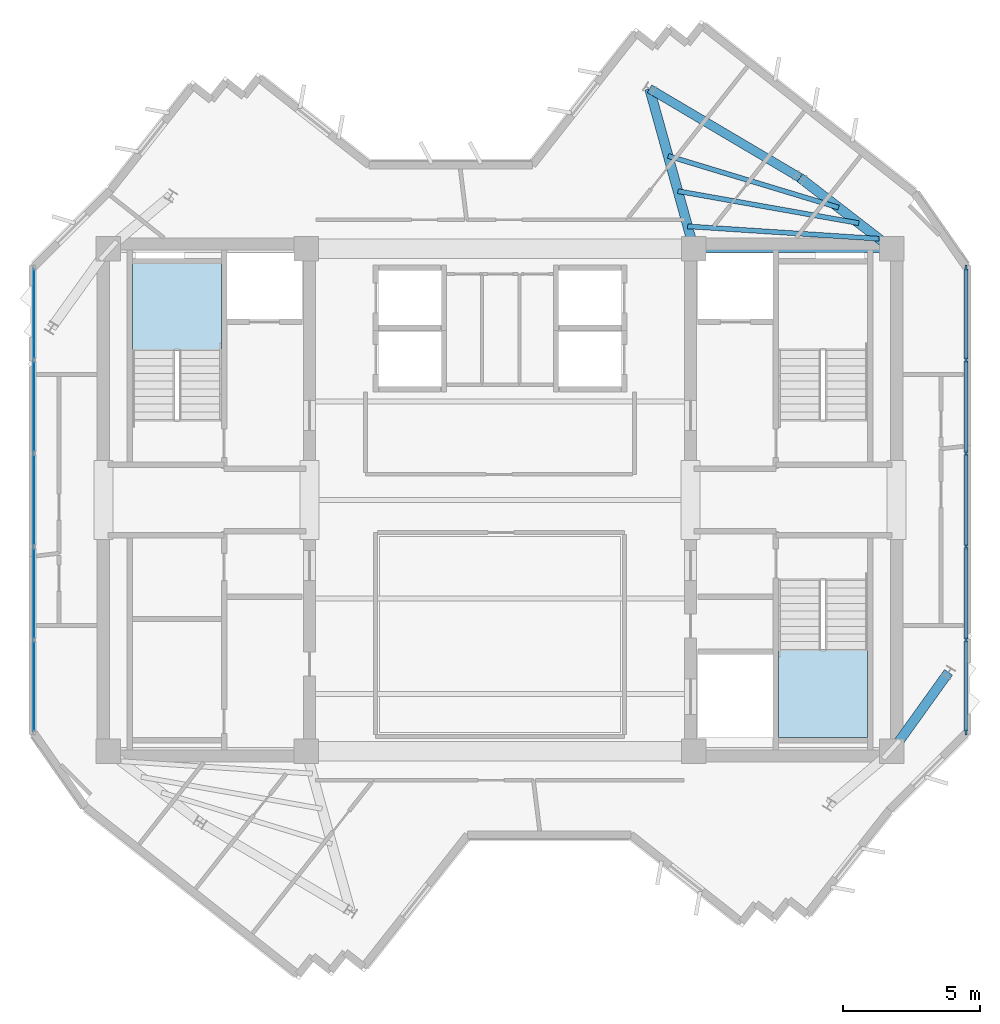
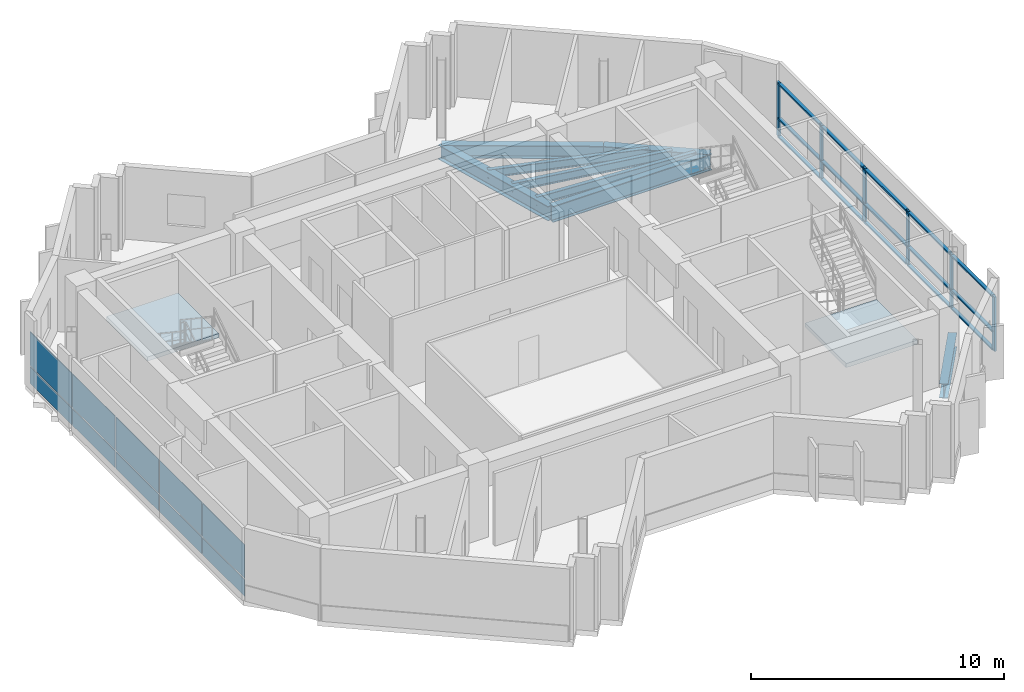
# One storey, part 3 of 10: 21 members, 10 plates, 8 beams, 2 slabs, 4 elements without a shape of their own.
"""IFC4 building model written with IfcOpenShell, lengths in metres."""

from ifc_helpers import new_model, si_unit, direction, frame, origin, origin_2d, place, context, subcontext, project, spatial, polyline, rectangle, i_section, outline, extrude, source, transform, mapped, material, layer, layer_set, material_profile, profile_set, type_object, element, aggregate, save


model = new_model("IFC4")

# Units and contexts
model_context = context("Model", 3, precision=1e-05, world=origin(), true_north=direction((0.0, 1.0)))
body_context = subcontext(model_context, "Body", "Model", "MODEL_VIEW")
ifc_project = project(units=[si_unit("LENGTHUNIT", "METRE"), si_unit("AREAUNIT", "SQUARE_METRE"), si_unit("VOLUMEUNIT", "CUBIC_METRE"), si_unit("PLANEANGLEUNIT", "RADIAN"), si_unit("MASSUNIT", "GRAM", prefix="KILO")], contexts=[model_context])

# Site, building, storey
site_placement = place(None, origin())
site = spatial("IfcSite", under=ifc_project, at=site_placement, CompositionType="ELEMENT")
building_placement = place(site_placement, origin())
building = spatial("IfcBuilding", under=site, at=building_placement, Name="Zahravan Cultural Tower", CompositionType="ELEMENT")
storey_placement = place(building_placement, frame((0.0, 0.0, 323.550048828125)))
storey = spatial("IfcBuildingStorey", under=building, at=storey_placement, Name="L78", CompositionType="ELEMENT", Elevation=323.550048828125)

# Beams
ifc_material_1 = material(Name="Steel ASTM A992 Grade 50", Category="steel")
ifc_material_profile_1 = material_profile(ifc_material_1, i_section(OverallWidth=0.26611328125, OverallDepth=0.780029296875, WebThickness=0.0166015625, FlangeThickness=0.030029296875, FilletRadius=0.01904296875, at=origin_2d()), Name="W30X148")
ifc_profile_set_1 = profile_set([ifc_material_profile_1], Name="Steel ASTM A992 Grade 50")
beam_type_1 = type_object("IfcBeamType", Name="BM-G-W30X148", PredefinedType="BEAM", material=ifc_profile_set_1)
shared_shape_1 = source(origin(), body_context, "Body", "SweptSolid", [
    extrude(i_section(OverallWidth=0.26611328125, OverallDepth=0.780029296875, WebThickness=0.0166015625, FlangeThickness=0.030029296875, FilletRadius=0.01904296875, at=origin_2d()), origin(), (0.0, 0.0, 1.0), 7.25),
])
beam_1_placement = place(storey_placement, frame((43.10009765625, 36.199951171875, -0.64013671875), z_axis=(1.0, 0.0, 0.0), x_axis=(0.0, 1.0, 0.0)))
element("IfcBeam", 1, at=beam_1_placement, inside=storey, type_object=beam_type_1, Name="L78 Beam BG-L78-05", PredefinedType="BEAM", context=body_context, shape_type="MappedRepresentation", body=[
    mapped(shared_shape_1, transform((0.0, 0.0, 0.0), x_axis=(1.0, 0.0, 0.0), y_axis=(0.0, 1.0, 0.0), z_axis=(0.0, 0.0, 1.0), scale=1.0)),
])
ifc_material_profile_2 = material_profile(ifc_material_1, i_section(OverallWidth=0.35498046875, OverallDepth=0.696044921875, WebThickness=0.015380859375, FlangeThickness=0.025146484375, FilletRadius=0.01806640625, at=origin_2d()), Name="W27X146")
ifc_profile_set_2 = profile_set([ifc_material_profile_2], Name="Steel ASTM A992 Grade 50")
beam_type_2 = type_object("IfcBeamType", Name="BM-G-W27X146", PredefinedType="BEAM", material=ifc_profile_set_2)
shared_shape_2 = source(origin(), body_context, "Body", "SweptSolid", [
    extrude(i_section(OverallWidth=0.35498046875, OverallDepth=0.696044921875, WebThickness=0.015380859375, FlangeThickness=0.025146484375, FilletRadius=0.01806640625, at=origin_2d()), origin(), (0.0, 0.0, 1.0), 4.25341796875),
])
beam_2_placement = place(storey_placement, frame((50.35009765625, 36.199951171875, -0.59814453125), z_axis=(-0.791433936253, 0.611254713313, 0.0), x_axis=(-0.611254713313, -0.791433936253, 0.0)))
element("IfcBeam", 2, at=beam_2_placement, inside=storey, type_object=beam_type_2, Name="L78 Beam BG-L78-11", PredefinedType="BEAM", context=body_context, shape_type="MappedRepresentation", body=[
    mapped(shared_shape_2, transform((0.0, 0.0, 0.0), x_axis=(1.0, 0.0, 0.0), y_axis=(0.0, 1.0, 0.0), z_axis=(0.0, 0.0, 1.0), scale=1.0)),
])
shared_shape_3 = source(origin(), body_context, "Body", "SweptSolid", [
    extrude(i_section(OverallWidth=0.35498046875, OverallDepth=0.696044921875, WebThickness=0.015380859375, FlangeThickness=0.025146484375, FilletRadius=0.01806640625, at=origin_2d()), origin(), (0.0, 0.0, 1.0), 6.07958984375),
])
beam_3_placement = place(storey_placement, frame((43.10009765625, 36.199951171875, -0.59814453125), z_axis=(-0.267324894686, 0.963606455292, 0.0), x_axis=(-0.963606455292, -0.267324894686, 0.0)))
element("IfcBeam", 3, at=beam_3_placement, inside=storey, type_object=beam_type_2, Name="L78 Beam BG-L78-12", PredefinedType="BEAM", context=body_context, shape_type="MappedRepresentation", body=[
    mapped(shared_shape_3, transform((0.0, 0.0, 0.0), x_axis=(1.0, 0.0, 0.0), y_axis=(0.0, 1.0, 0.0), z_axis=(0.0, 0.0, 1.0), scale=1.0)),
])
shared_shape_4 = source(origin(), body_context, "Body", "SweptSolid", [
    extrude(i_section(OverallWidth=0.35498046875, OverallDepth=0.696044921875, WebThickness=0.015380859375, FlangeThickness=0.025146484375, FilletRadius=0.01806640625, at=origin_2d()), origin(), (0.0, 0.0, 1.0), 3.5556640625),
])
beam_4_placement = place(storey_placement, frame((50.35009765625, 17.800048828125, -0.59814453125), z_axis=(0.58288028137, 0.812558045674, 0.0), x_axis=(-0.812558045674, 0.58288028137, 0.0)))
element("IfcBeam", 4, at=beam_4_placement, inside=storey, type_object=beam_type_2, Name="L78 Beam BG-L78-10", PredefinedType="BEAM", context=body_context, shape_type="MappedRepresentation", body=[
    mapped(shared_shape_4, transform((0.0, 0.0, 0.0), x_axis=(1.0, 0.0, 0.0), y_axis=(0.0, 1.0, 0.0), z_axis=(0.0, 0.0, 1.0), scale=1.0)),
])
ifc_material_profile_3 = material_profile(ifc_material_1, i_section(OverallWidth=0.326904296875, OverallDepth=0.6220703125, WebThickness=0.015380859375, FlangeThickness=0.0244140625, FilletRadius=0.014892578125, at=origin_2d()), Name="W24X131")
ifc_profile_set_3 = profile_set([ifc_material_profile_3], Name="Steel ASTM A992 Grade 50")
beam_type_3 = type_object("IfcBeamType", Name="BM-SP-W24X131", PredefinedType="SPANDREL", material=ifc_profile_set_3)
shared_shape_5 = source(origin(), body_context, "Body", "SweptSolid", [
    extrude(i_section(OverallWidth=0.326904296875, OverallDepth=0.6220703125, WebThickness=0.015380859375, FlangeThickness=0.0244140625, FilletRadius=0.014892578125, at=origin_2d()), origin(), (0.0, 0.0, 1.0), 6.400634765625),
])
beam_5_placement = place(storey_placement, frame((46.98388671875, 38.7998046875, -0.56103515625), z_axis=(-0.860706991833, 0.509100652337, 0.0), x_axis=(-0.509100652337, -0.860706991833, 0.0)))
element("IfcBeam", 5, at=beam_5_placement, inside=storey, type_object=beam_type_3, Name="L78 Beam SP-L78-17", PredefinedType="SPANDREL", context=body_context, shape_type="MappedRepresentation", body=[
    mapped(shared_shape_5, transform((0.0, 0.0, 0.0), x_axis=(1.0, 0.0, 0.0), y_axis=(0.0, 1.0, 0.0), z_axis=(0.0, 0.0, 1.0), scale=1.0)),
])
ifc_material_profile_4 = material_profile(ifc_material_1, i_section(OverallWidth=0.177978515625, OverallDepth=0.406005859375, WebThickness=0.0078125, FlangeThickness=0.0126953125, FilletRadius=0.011962890625, at=origin_2d()), Name="W16X40")
ifc_profile_set_4 = profile_set([ifc_material_profile_4], Name="Steel ASTM A992 Grade 50")
beam_type_4 = type_object("IfcBeamType", Name="BM-J-W16X40", PredefinedType="JOIST", material=ifc_profile_set_4)
shared_shape_6 = source(origin(), body_context, "Body", "SweptSolid", [
    extrude(i_section(OverallWidth=0.177978515625, OverallDepth=0.406005859375, WebThickness=0.0078125, FlangeThickness=0.0126953125, FilletRadius=0.011962890625, at=origin_2d()), origin(), (0.0, 0.0, 1.0), 7.02099609375),
])
beam_6_placement = place(storey_placement, frame((49.878662109375, 36.56396484375, -0.453125), z_axis=(-0.99788584579, 0.064991066863, 0.0), x_axis=(-0.064991066863, -0.99788584579, 0.0)))
element("IfcBeam", 6, at=beam_6_placement, inside=storey, type_object=beam_type_4, Name="L78 Beam BJ-L78-40", PredefinedType="JOIST", context=body_context, shape_type="MappedRepresentation", body=[
    mapped(shared_shape_6, transform((0.0, 0.0, 0.0), x_axis=(1.0, 0.0, 0.0), y_axis=(0.0, 1.0, 0.0), z_axis=(0.0, 0.0, 1.0), scale=1.0)),
])
shared_shape_7 = source(origin(), body_context, "Body", "SweptSolid", [
    extrude(i_section(OverallWidth=0.177978515625, OverallDepth=0.406005859375, WebThickness=0.0078125, FlangeThickness=0.0126953125, FilletRadius=0.011962890625, at=origin_2d()), origin(), (0.0, 0.0, 1.0), 6.726318359375),
])
beam_7_placement = place(storey_placement, frame((49.13818359375, 37.135986328125, -0.453125), z_axis=(-0.98467447748, 0.17440233198, 0.0), x_axis=(-0.17440233198, -0.98467447748, 0.0)))
element("IfcBeam", 7, at=beam_7_placement, inside=storey, type_object=beam_type_4, Name="L78 Beam BJ-L78-42", PredefinedType="JOIST", context=body_context, shape_type="MappedRepresentation", body=[
    mapped(shared_shape_7, transform((0.0, 0.0, 0.0), x_axis=(1.0, 0.0, 0.0), y_axis=(0.0, 1.0, 0.0), z_axis=(0.0, 0.0, 1.0), scale=1.0)),
])
shared_shape_8 = source(origin(), body_context, "Body", "SweptSolid", [
    extrude(i_section(OverallWidth=0.177978515625, OverallDepth=0.406005859375, WebThickness=0.0078125, FlangeThickness=0.0126953125, FilletRadius=0.011962890625, at=origin_2d()), origin(), (0.0, 0.0, 1.0), 6.520263671875),
])
beam_8_placement = place(storey_placement, frame((48.397705078125, 37.707763671875, -0.453125), z_axis=(-0.957060297679, 0.289888921151, 0.0), x_axis=(-0.289888921151, -0.957060297679, 0.0)))
element("IfcBeam", 8, at=beam_8_placement, inside=storey, type_object=beam_type_4, Name="L78 Beam BJ-L78-44", PredefinedType="JOIST", context=body_context, shape_type="MappedRepresentation", body=[
    mapped(shared_shape_8, transform((0.0, 0.0, 0.0), x_axis=(1.0, 0.0, 0.0), y_axis=(0.0, 1.0, 0.0), z_axis=(0.0, 0.0, 1.0), scale=1.0)),
])

# Curtain wall, members
ifc_material_2 = material(Name="Anodised bronze-aluminium mullion", Category="aluminium")
ifc_layer_1 = layer(ifc_material_2, 0.199951171875)
ifc_layer_set_1 = layer_set([ifc_layer_1], Name="Anodised bronze-aluminium mullion")
curtain_wall_type_1 = type_object("IfcCurtainWallType", Name="CW-SYS-2", PredefinedType="USERDEFINED", material=ifc_layer_set_1)
curtain_wall_1_placement = place(storey_placement, origin())
curtain_wall_1 = element("IfcCurtainWall", 9, at=curtain_wall_1_placement, inside=storey, type_object=curtain_wall_type_1, Name="L78 Recessed Curtain Wall CW-2.1", ObjectType="RECESSED GLAZING", PredefinedType="USERDEFINED")
ifc_material_profile_5 = material_profile(ifc_material_2, rectangle(XDim=0.074951171875, YDim=0.199951171875, at=origin_2d()), Name="AL-M75X200")
ifc_profile_set_5 = profile_set([ifc_material_profile_5], Name="Anodised bronze-aluminium mullion")
member_type_1 = type_object("IfcMemberType", Name="CWM-CW-2", PredefinedType="MULLION", material=ifc_profile_set_5)
shared_shape_9 = source(origin(), body_context, "Body", "SweptSolid", [
    extrude(rectangle(XDim=0.074951171875, YDim=0.199951171875, at=origin_2d()), origin(), (0.0, 0.0, 1.0), 2.619873046875),
])
member_1_placement = place(storey_placement, frame((53.06005859375, 35.50439453125, 0.0), z_axis=(0.0, 0.0, 1.0), x_axis=(1.0, 0.0, 0.0)))
member_1 = element("IfcMember", 10, at=member_1_placement, type_object=member_type_1, Name="CW-2 mullion 1", PredefinedType="MULLION", context=body_context, shape_type="MappedRepresentation", body=[
    mapped(shared_shape_9, transform((0.0, 0.0, 0.0), x_axis=(1.0, 0.0, 0.0), y_axis=(0.0, 1.0, 0.0), z_axis=(0.0, 0.0, 1.0), scale=1.0)),
])
member_2_placement = place(storey_placement, frame((53.06005859375, 32.125244140625, 0.0), z_axis=(0.0, 0.0, 1.0), x_axis=(1.0, 0.0, 0.0)))
member_2 = element("IfcMember", 11, at=member_2_placement, type_object=member_type_1, Name="CW-2 mullion 2", PredefinedType="MULLION", context=body_context, shape_type="MappedRepresentation", body=[
    mapped(shared_shape_9, transform((0.0, 0.0, 0.0), x_axis=(1.0, 0.0, 0.0), y_axis=(0.0, 1.0, 0.0), z_axis=(0.0, 0.0, 1.0), scale=1.0)),
])
member_3_placement = place(storey_placement, frame((53.06005859375, 28.70849609375, 0.0), z_axis=(0.0, 0.0, 1.0), x_axis=(1.0, 0.0, 0.0)))
member_3 = element("IfcMember", 12, at=member_3_placement, type_object=member_type_1, Name="CW-2 mullion 3", PredefinedType="MULLION", context=body_context, shape_type="MappedRepresentation", body=[
    mapped(shared_shape_9, transform((0.0, 0.0, 0.0), x_axis=(1.0, 0.0, 0.0), y_axis=(0.0, 1.0, 0.0), z_axis=(0.0, 0.0, 1.0), scale=1.0)),
])
member_4_placement = place(storey_placement, frame((53.06005859375, 25.29150390625, 0.0), z_axis=(0.0, 0.0, 1.0), x_axis=(1.0, 0.0, 0.0)))
member_4 = element("IfcMember", 13, at=member_4_placement, type_object=member_type_1, Name="CW-2 mullion 4", PredefinedType="MULLION", context=body_context, shape_type="MappedRepresentation", body=[
    mapped(shared_shape_9, transform((0.0, 0.0, 0.0), x_axis=(1.0, 0.0, 0.0), y_axis=(0.0, 1.0, 0.0), z_axis=(0.0, 0.0, 1.0), scale=1.0)),
])
member_5_placement = place(storey_placement, frame((53.06005859375, 21.874755859375, 0.0), z_axis=(0.0, 0.0, 1.0), x_axis=(1.0, 0.0, 0.0)))
member_5 = element("IfcMember", 14, at=member_5_placement, type_object=member_type_1, Name="CW-2 mullion 5", PredefinedType="MULLION", context=body_context, shape_type="MappedRepresentation", body=[
    mapped(shared_shape_9, transform((0.0, 0.0, 0.0), x_axis=(1.0, 0.0, 0.0), y_axis=(0.0, 1.0, 0.0), z_axis=(0.0, 0.0, 1.0), scale=1.0)),
])
member_6_placement = place(storey_placement, frame((53.06005859375, 18.49560546875, 0.0), z_axis=(0.0, 0.0, 1.0), x_axis=(1.0, 0.0, 0.0)))
member_6 = element("IfcMember", 15, at=member_6_placement, type_object=member_type_1, Name="CW-2 mullion 6", PredefinedType="MULLION", context=body_context, shape_type="MappedRepresentation", body=[
    mapped(shared_shape_9, transform((0.0, 0.0, 0.0), x_axis=(1.0, 0.0, 0.0), y_axis=(0.0, 1.0, 0.0), z_axis=(0.0, 0.0, 1.0), scale=1.0)),
])
ifc_material_profile_6 = material_profile(ifc_material_2, rectangle(XDim=0.14990234375, YDim=0.074951171875, at=origin_2d()), Name="AL-T75X150")
ifc_profile_set_6 = profile_set([ifc_material_profile_6], Name="Anodised bronze-aluminium mullion")
member_type_2 = type_object("IfcMemberType", Name="CWT-CW-2", PredefinedType="USERDEFINED", material=ifc_profile_set_6)
shared_shape_10 = source(origin(), body_context, "Body", "SweptSolid", [
    extrude(rectangle(XDim=0.14990234375, YDim=0.074951171875, at=origin_2d()), origin(), (0.0, 0.0, 1.0), 3.304443359375),
])
member_7_placement = place(storey_placement, frame((53.06005859375, 35.467041015625, 0.037353515625), z_axis=(0.0, -1.0, 0.0), x_axis=(1.0, 0.0, 0.0)))
member_7 = element("IfcMember", 16, at=member_7_placement, type_object=member_type_2, Name="CW-2 transom 1.1", ObjectType="TRANSOM", PredefinedType="USERDEFINED", context=body_context, shape_type="MappedRepresentation", body=[
    mapped(shared_shape_10, transform((0.0, 0.0, 0.0), x_axis=(1.0, 0.0, 0.0), y_axis=(0.0, 1.0, 0.0), z_axis=(0.0, 0.0, 1.0), scale=1.0)),
])
member_8_placement = place(storey_placement, frame((53.06005859375, 35.467041015625, 0.89990234375), z_axis=(0.0, -1.0, 0.0), x_axis=(1.0, 0.0, 0.0)))
member_8 = element("IfcMember", 17, at=member_8_placement, type_object=member_type_2, Name="CW-2 transom 1.2", ObjectType="TRANSOM", PredefinedType="USERDEFINED", context=body_context, shape_type="MappedRepresentation", body=[
    mapped(shared_shape_10, transform((0.0, 0.0, 0.0), x_axis=(1.0, 0.0, 0.0), y_axis=(0.0, 1.0, 0.0), z_axis=(0.0, 0.0, 1.0), scale=1.0)),
])
member_9_placement = place(storey_placement, frame((53.06005859375, 35.467041015625, 2.58251953125), z_axis=(0.0, -1.0, 0.0), x_axis=(1.0, 0.0, 0.0)))
member_9 = element("IfcMember", 18, at=member_9_placement, type_object=member_type_2, Name="CW-2 transom 1.3", ObjectType="TRANSOM", PredefinedType="USERDEFINED", context=body_context, shape_type="MappedRepresentation", body=[
    mapped(shared_shape_10, transform((0.0, 0.0, 0.0), x_axis=(1.0, 0.0, 0.0), y_axis=(0.0, 1.0, 0.0), z_axis=(0.0, 0.0, 1.0), scale=1.0)),
])
member_10_placement = place(storey_placement, frame((53.06005859375, 21.83740234375, 0.037353515625), z_axis=(0.0, -1.0, 0.0), x_axis=(1.0, 0.0, 0.0)))
member_10 = element("IfcMember", 19, at=member_10_placement, type_object=member_type_2, Name="CW-2 transom 5.1", ObjectType="TRANSOM", PredefinedType="USERDEFINED", context=body_context, shape_type="MappedRepresentation", body=[
    mapped(shared_shape_10, transform((0.0, 0.0, 0.0), x_axis=(1.0, 0.0, 0.0), y_axis=(0.0, 1.0, 0.0), z_axis=(0.0, 0.0, 1.0), scale=1.0)),
])
member_11_placement = place(storey_placement, frame((53.06005859375, 21.83740234375, 0.89990234375), z_axis=(0.0, -1.0, 0.0), x_axis=(1.0, 0.0, 0.0)))
member_11 = element("IfcMember", 20, at=member_11_placement, type_object=member_type_2, Name="CW-2 transom 5.2", ObjectType="TRANSOM", PredefinedType="USERDEFINED", context=body_context, shape_type="MappedRepresentation", body=[
    mapped(shared_shape_10, transform((0.0, 0.0, 0.0), x_axis=(1.0, 0.0, 0.0), y_axis=(0.0, 1.0, 0.0), z_axis=(0.0, 0.0, 1.0), scale=1.0)),
])
member_12_placement = place(storey_placement, frame((53.06005859375, 21.83740234375, 2.58251953125), z_axis=(0.0, -1.0, 0.0), x_axis=(1.0, 0.0, 0.0)))
member_12 = element("IfcMember", 21, at=member_12_placement, type_object=member_type_2, Name="CW-2 transom 5.3", ObjectType="TRANSOM", PredefinedType="USERDEFINED", context=body_context, shape_type="MappedRepresentation", body=[
    mapped(shared_shape_10, transform((0.0, 0.0, 0.0), x_axis=(1.0, 0.0, 0.0), y_axis=(0.0, 1.0, 0.0), z_axis=(0.0, 0.0, 1.0), scale=1.0)),
])
shared_shape_11 = source(origin(), body_context, "Body", "SweptSolid", [
    extrude(rectangle(XDim=0.14990234375, YDim=0.074951171875, at=origin_2d()), origin(), (0.0, 0.0, 1.0), 3.341796875),
])
member_13_placement = place(storey_placement, frame((53.06005859375, 32.087646484375, 0.037353515625), z_axis=(0.0, -1.0, 0.0), x_axis=(1.0, 0.0, 0.0)))
member_13 = element("IfcMember", 22, at=member_13_placement, type_object=member_type_2, Name="CW-2 transom 2.1", ObjectType="TRANSOM", PredefinedType="USERDEFINED", context=body_context, shape_type="MappedRepresentation", body=[
    mapped(shared_shape_11, transform((0.0, 0.0, 0.0), x_axis=(1.0, 0.0, 0.0), y_axis=(0.0, 1.0, 0.0), z_axis=(0.0, 0.0, 1.0), scale=1.0)),
])
member_14_placement = place(storey_placement, frame((53.06005859375, 32.087646484375, 0.89990234375), z_axis=(0.0, -1.0, 0.0), x_axis=(1.0, 0.0, 0.0)))
member_14 = element("IfcMember", 23, at=member_14_placement, type_object=member_type_2, Name="CW-2 transom 2.2", ObjectType="TRANSOM", PredefinedType="USERDEFINED", context=body_context, shape_type="MappedRepresentation", body=[
    mapped(shared_shape_11, transform((0.0, 0.0, 0.0), x_axis=(1.0, 0.0, 0.0), y_axis=(0.0, 1.0, 0.0), z_axis=(0.0, 0.0, 1.0), scale=1.0)),
])
member_15_placement = place(storey_placement, frame((53.06005859375, 32.087646484375, 2.58251953125), z_axis=(0.0, -1.0, 0.0), x_axis=(1.0, 0.0, 0.0)))
member_15 = element("IfcMember", 24, at=member_15_placement, type_object=member_type_2, Name="CW-2 transom 2.3", ObjectType="TRANSOM", PredefinedType="USERDEFINED", context=body_context, shape_type="MappedRepresentation", body=[
    mapped(shared_shape_11, transform((0.0, 0.0, 0.0), x_axis=(1.0, 0.0, 0.0), y_axis=(0.0, 1.0, 0.0), z_axis=(0.0, 0.0, 1.0), scale=1.0)),
])
member_16_placement = place(storey_placement, frame((53.06005859375, 28.6708984375, 0.037353515625), z_axis=(0.0, -1.0, 0.0), x_axis=(1.0, 0.0, 0.0)))
member_16 = element("IfcMember", 25, at=member_16_placement, type_object=member_type_2, Name="CW-2 transom 3.1", ObjectType="TRANSOM", PredefinedType="USERDEFINED", context=body_context, shape_type="MappedRepresentation", body=[
    mapped(shared_shape_11, transform((0.0, 0.0, 0.0), x_axis=(1.0, 0.0, 0.0), y_axis=(0.0, 1.0, 0.0), z_axis=(0.0, 0.0, 1.0), scale=1.0)),
])
member_17_placement = place(storey_placement, frame((53.06005859375, 28.6708984375, 0.89990234375), z_axis=(0.0, -1.0, 0.0), x_axis=(1.0, 0.0, 0.0)))
member_17 = element("IfcMember", 26, at=member_17_placement, type_object=member_type_2, Name="CW-2 transom 3.2", ObjectType="TRANSOM", PredefinedType="USERDEFINED", context=body_context, shape_type="MappedRepresentation", body=[
    mapped(shared_shape_11, transform((0.0, 0.0, 0.0), x_axis=(1.0, 0.0, 0.0), y_axis=(0.0, 1.0, 0.0), z_axis=(0.0, 0.0, 1.0), scale=1.0)),
])
member_18_placement = place(storey_placement, frame((53.06005859375, 28.6708984375, 2.58251953125), z_axis=(0.0, -1.0, 0.0), x_axis=(1.0, 0.0, 0.0)))
member_18 = element("IfcMember", 27, at=member_18_placement, type_object=member_type_2, Name="CW-2 transom 3.3", ObjectType="TRANSOM", PredefinedType="USERDEFINED", context=body_context, shape_type="MappedRepresentation", body=[
    mapped(shared_shape_11, transform((0.0, 0.0, 0.0), x_axis=(1.0, 0.0, 0.0), y_axis=(0.0, 1.0, 0.0), z_axis=(0.0, 0.0, 1.0), scale=1.0)),
])
member_19_placement = place(storey_placement, frame((53.06005859375, 25.254150390625, 0.037353515625), z_axis=(0.0, -1.0, 0.0), x_axis=(1.0, 0.0, 0.0)))
member_19 = element("IfcMember", 28, at=member_19_placement, type_object=member_type_2, Name="CW-2 transom 4.1", ObjectType="TRANSOM", PredefinedType="USERDEFINED", context=body_context, shape_type="MappedRepresentation", body=[
    mapped(shared_shape_11, transform((0.0, 0.0, 0.0), x_axis=(1.0, 0.0, 0.0), y_axis=(0.0, 1.0, 0.0), z_axis=(0.0, 0.0, 1.0), scale=1.0)),
])
member_20_placement = place(storey_placement, frame((53.06005859375, 25.254150390625, 0.89990234375), z_axis=(0.0, -1.0, 0.0), x_axis=(1.0, 0.0, 0.0)))
member_20 = element("IfcMember", 29, at=member_20_placement, type_object=member_type_2, Name="CW-2 transom 4.2", ObjectType="TRANSOM", PredefinedType="USERDEFINED", context=body_context, shape_type="MappedRepresentation", body=[
    mapped(shared_shape_11, transform((0.0, 0.0, 0.0), x_axis=(1.0, 0.0, 0.0), y_axis=(0.0, 1.0, 0.0), z_axis=(0.0, 0.0, 1.0), scale=1.0)),
])
member_21_placement = place(storey_placement, frame((53.06005859375, 25.254150390625, 2.58251953125), z_axis=(0.0, -1.0, 0.0), x_axis=(1.0, 0.0, 0.0)))
member_21 = element("IfcMember", 30, at=member_21_placement, type_object=member_type_2, Name="CW-2 transom 4.3", ObjectType="TRANSOM", PredefinedType="USERDEFINED", context=body_context, shape_type="MappedRepresentation", body=[
    mapped(shared_shape_11, transform((0.0, 0.0, 0.0), x_axis=(1.0, 0.0, 0.0), y_axis=(0.0, 1.0, 0.0), z_axis=(0.0, 0.0, 1.0), scale=1.0)),
])
aggregate(curtain_wall_1, [member_1, member_2, member_3, member_4, member_5, member_6, member_7, member_8, member_9, member_13, member_14, member_15, member_16, member_17, member_18, member_19, member_20, member_21, member_10, member_11, member_12])

# Stair, slab
ifc_material_3 = material(Name="Concrete C45/55", Category="concrete")
stair_type = type_object("IfcStairType", Name="STR-DL-1550-375", PredefinedType="HALF_TURN_STAIR", material=ifc_material_3)
stair_1_placement = place(storey_placement, origin())
stair_1 = element("IfcStair", 31, at=stair_1_placement, inside=storey, type_object=stair_type, Name="L78 West Core North Exit Stair ST-W1", PredefinedType="HALF_TURN_STAIR")
ifc_layer_2 = layer(ifc_material_3, 0.199951171875)
ifc_layer_set_2 = layer_set([ifc_layer_2], Name="Concrete C45/55")
slab_type = type_object("IfcSlabType", Name="SL-STAIR-LND200", PredefinedType="LANDING", material=ifc_layer_set_2)
slab_1_placement = place(storey_placement, frame((0.0, 0.0, 1.675048828125)))
slab_1 = element("IfcSlab", 32, at=slab_1_placement, type_object=slab_type, Name="ST-W1 landing 1", PredefinedType="LANDING", context=body_context, shape_type="SweptSolid", body=[
    extrude(outline(polyline([(25.800048828125, 32.469970703125), (25.800048828125, 35.699951171875), (22.550048828125, 35.699951171875), (22.550048828125, 32.469970703125), (25.800048828125, 32.469970703125)])), origin(), (0.0, 0.0, 1.0), 0.199951171875),
])
aggregate(stair_1, [slab_1])

stair_2_placement = place(storey_placement, origin())
stair_2 = element("IfcStair", 33, at=stair_2_placement, inside=storey, type_object=stair_type, Name="L78 East Core South Exit Stair ST-E2", PredefinedType="HALF_TURN_STAIR")
slab_2_placement = place(storey_placement, frame((0.0, 0.0, 1.675048828125)))
slab_2 = element("IfcSlab", 34, at=slab_2_placement, type_object=slab_type, Name="ST-E2 landing 1", PredefinedType="LANDING", context=body_context, shape_type="SweptSolid", body=[
    extrude(outline(polyline([(46.199951171875, 21.530029296875), (46.199951171875, 18.300048828125), (49.449951171875, 18.300048828125), (49.449951171875, 21.530029296875), (46.199951171875, 21.530029296875)])), origin(), (0.0, 0.0, 1.0), 0.199951171875),
])
aggregate(stair_2, [slab_2])

# Curtain wall, plates
ifc_layer_3 = layer(ifc_material_2, 0.179931640625)
ifc_layer_set_3 = layer_set([ifc_layer_3], Name="Anodised bronze-aluminium mullion")
curtain_wall_type_2 = type_object("IfcCurtainWallType", Name="CW-SYS-3", PredefinedType="USERDEFINED", material=ifc_layer_set_3)
curtain_wall_2_placement = place(storey_placement, origin())
curtain_wall_2 = element("IfcCurtainWall", 35, at=curtain_wall_2_placement, inside=storey, type_object=curtain_wall_type_2, Name="L78 Recessed Curtain Wall CW-3.2", ObjectType="RECESSED GLAZING", PredefinedType="USERDEFINED")
ifc_material_4 = material(Name="Low-E solar-control double glazing", Category="glass")
ifc_layer_4 = layer(ifc_material_4, 0.028076171875)
ifc_layer_set_4 = layer_set([ifc_layer_4], Name="Low-E solar-control double glazing")
plate_type = type_object("IfcPlateType", Name="CWP-CW-3", PredefinedType="CURTAIN_PANEL", material=ifc_layer_set_4)
shared_shape_12 = source(origin(), body_context, "Body", "SweptSolid", [
    extrude(rectangle(XDim=3.311767578125, YDim=0.028076171875, at=origin_2d()), origin(), (0.0, 0.0, 1.0), 0.794921875),
])
plate_1_placement = place(storey_placement, frame((18.93994140625, 20.183837890625, 0.070068359375), z_axis=(0.0, 0.0, 1.0), x_axis=(0.0, 1.0, 0.0)))
plate_1 = element("IfcPlate", 36, at=plate_1_placement, type_object=plate_type, Name="CW-3 panel 1.1", PredefinedType="CURTAIN_PANEL", context=body_context, shape_type="MappedRepresentation", body=[
    mapped(shared_shape_12, transform((0.0, 0.0, 0.0), x_axis=(1.0, 0.0, 0.0), y_axis=(0.0, 1.0, 0.0), z_axis=(0.0, 0.0, 1.0), scale=1.0)),
])
plate_2_placement = place(storey_placement, frame((18.93994140625, 33.816162109375, 0.070068359375), z_axis=(0.0, 0.0, 1.0), x_axis=(0.0, 1.0, 0.0)))
plate_2 = element("IfcPlate", 37, at=plate_2_placement, type_object=plate_type, Name="CW-3 panel 5.1", PredefinedType="CURTAIN_PANEL", context=body_context, shape_type="MappedRepresentation", body=[
    mapped(shared_shape_12, transform((0.0, 0.0, 0.0), x_axis=(1.0, 0.0, 0.0), y_axis=(0.0, 1.0, 0.0), z_axis=(0.0, 0.0, 1.0), scale=1.0)),
])
shared_shape_13 = source(origin(), body_context, "Body", "SweptSolid", [
    extrude(rectangle(XDim=3.311767578125, YDim=0.028076171875, at=origin_2d()), origin(), (0.0, 0.0, 1.0), 1.614990234375),
])
plate_3_placement = place(storey_placement, frame((18.93994140625, 20.183837890625, 0.93505859375), z_axis=(0.0, 0.0, 1.0), x_axis=(0.0, 1.0, 0.0)))
plate_3 = element("IfcPlate", 38, at=plate_3_placement, type_object=plate_type, Name="CW-3 panel 1.2", PredefinedType="CURTAIN_PANEL", context=body_context, shape_type="MappedRepresentation", body=[
    mapped(shared_shape_13, transform((0.0, 0.0, 0.0), x_axis=(1.0, 0.0, 0.0), y_axis=(0.0, 1.0, 0.0), z_axis=(0.0, 0.0, 1.0), scale=1.0)),
])
plate_4_placement = place(storey_placement, frame((18.93994140625, 33.816162109375, 0.93505859375), z_axis=(0.0, 0.0, 1.0), x_axis=(0.0, 1.0, 0.0)))
plate_4 = element("IfcPlate", 39, at=plate_4_placement, type_object=plate_type, Name="CW-3 panel 5.2", PredefinedType="CURTAIN_PANEL", context=body_context, shape_type="MappedRepresentation", body=[
    mapped(shared_shape_13, transform((0.0, 0.0, 0.0), x_axis=(1.0, 0.0, 0.0), y_axis=(0.0, 1.0, 0.0), z_axis=(0.0, 0.0, 1.0), scale=1.0)),
])
shared_shape_14 = source(origin(), body_context, "Body", "SweptSolid", [
    extrude(rectangle(XDim=3.3466796875, YDim=0.028076171875, at=origin_2d()), origin(), (0.0, 0.0, 1.0), 0.794921875),
])
plate_5_placement = place(storey_placement, frame((18.93994140625, 23.583251953125, 0.070068359375), z_axis=(0.0, 0.0, 1.0), x_axis=(0.0, 1.0, 0.0)))
plate_5 = element("IfcPlate", 40, at=plate_5_placement, type_object=plate_type, Name="CW-3 panel 2.1", PredefinedType="CURTAIN_PANEL", context=body_context, shape_type="MappedRepresentation", body=[
    mapped(shared_shape_14, transform((0.0, 0.0, 0.0), x_axis=(1.0, 0.0, 0.0), y_axis=(0.0, 1.0, 0.0), z_axis=(0.0, 0.0, 1.0), scale=1.0)),
])
plate_6_placement = place(storey_placement, frame((18.93994140625, 27.0, 0.070068359375), z_axis=(0.0, 0.0, 1.0), x_axis=(0.0, 1.0, 0.0)))
plate_6 = element("IfcPlate", 41, at=plate_6_placement, type_object=plate_type, Name="CW-3 panel 3.1", PredefinedType="CURTAIN_PANEL", context=body_context, shape_type="MappedRepresentation", body=[
    mapped(shared_shape_14, transform((0.0, 0.0, 0.0), x_axis=(1.0, 0.0, 0.0), y_axis=(0.0, 1.0, 0.0), z_axis=(0.0, 0.0, 1.0), scale=1.0)),
])
plate_7_placement = place(storey_placement, frame((18.93994140625, 30.416748046875, 0.070068359375), z_axis=(0.0, 0.0, 1.0), x_axis=(0.0, 1.0, 0.0)))
plate_7 = element("IfcPlate", 42, at=plate_7_placement, type_object=plate_type, Name="CW-3 panel 4.1", PredefinedType="CURTAIN_PANEL", context=body_context, shape_type="MappedRepresentation", body=[
    mapped(shared_shape_14, transform((0.0, 0.0, 0.0), x_axis=(1.0, 0.0, 0.0), y_axis=(0.0, 1.0, 0.0), z_axis=(0.0, 0.0, 1.0), scale=1.0)),
])
shared_shape_15 = source(origin(), body_context, "Body", "SweptSolid", [
    extrude(rectangle(XDim=3.3466796875, YDim=0.028076171875, at=origin_2d()), origin(), (0.0, 0.0, 1.0), 1.614990234375),
])
plate_8_placement = place(storey_placement, frame((18.93994140625, 23.583251953125, 0.93505859375), z_axis=(0.0, 0.0, 1.0), x_axis=(0.0, 1.0, 0.0)))
plate_8 = element("IfcPlate", 43, at=plate_8_placement, type_object=plate_type, Name="CW-3 panel 2.2", PredefinedType="CURTAIN_PANEL", context=body_context, shape_type="MappedRepresentation", body=[
    mapped(shared_shape_15, transform((0.0, 0.0, 0.0), x_axis=(1.0, 0.0, 0.0), y_axis=(0.0, 1.0, 0.0), z_axis=(0.0, 0.0, 1.0), scale=1.0)),
])
plate_9_placement = place(storey_placement, frame((18.93994140625, 27.0, 0.93505859375), z_axis=(0.0, 0.0, 1.0), x_axis=(0.0, 1.0, 0.0)))
plate_9 = element("IfcPlate", 44, at=plate_9_placement, type_object=plate_type, Name="CW-3 panel 3.2", PredefinedType="CURTAIN_PANEL", context=body_context, shape_type="MappedRepresentation", body=[
    mapped(shared_shape_15, transform((0.0, 0.0, 0.0), x_axis=(1.0, 0.0, 0.0), y_axis=(0.0, 1.0, 0.0), z_axis=(0.0, 0.0, 1.0), scale=1.0)),
])
plate_10_placement = place(storey_placement, frame((18.93994140625, 30.416748046875, 0.93505859375), z_axis=(0.0, 0.0, 1.0), x_axis=(0.0, 1.0, 0.0)))
plate_10 = element("IfcPlate", 45, at=plate_10_placement, type_object=plate_type, Name="CW-3 panel 4.2", PredefinedType="CURTAIN_PANEL", context=body_context, shape_type="MappedRepresentation", body=[
    mapped(shared_shape_15, transform((0.0, 0.0, 0.0), x_axis=(1.0, 0.0, 0.0), y_axis=(0.0, 1.0, 0.0), z_axis=(0.0, 0.0, 1.0), scale=1.0)),
])
aggregate(curtain_wall_2, [plate_1, plate_3, plate_5, plate_8, plate_6, plate_9, plate_7, plate_10, plate_2, plate_4])

save(model, "model.ifc")
